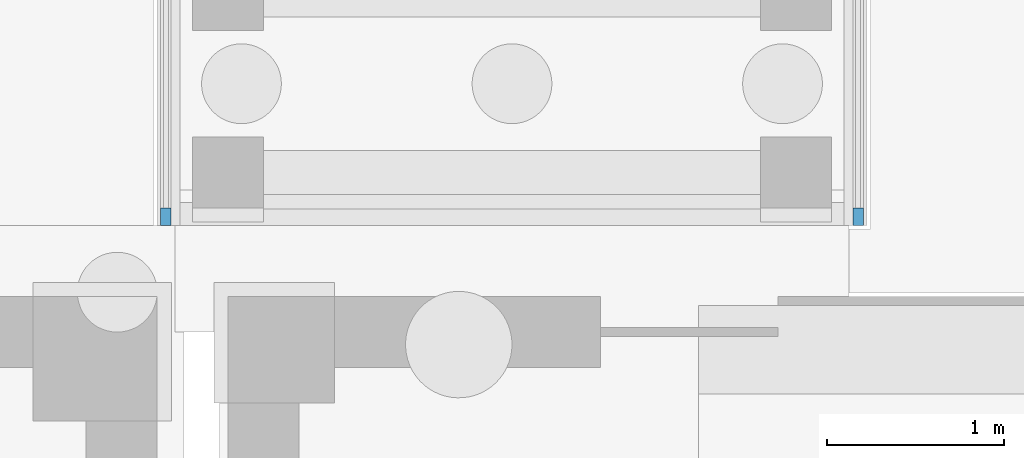
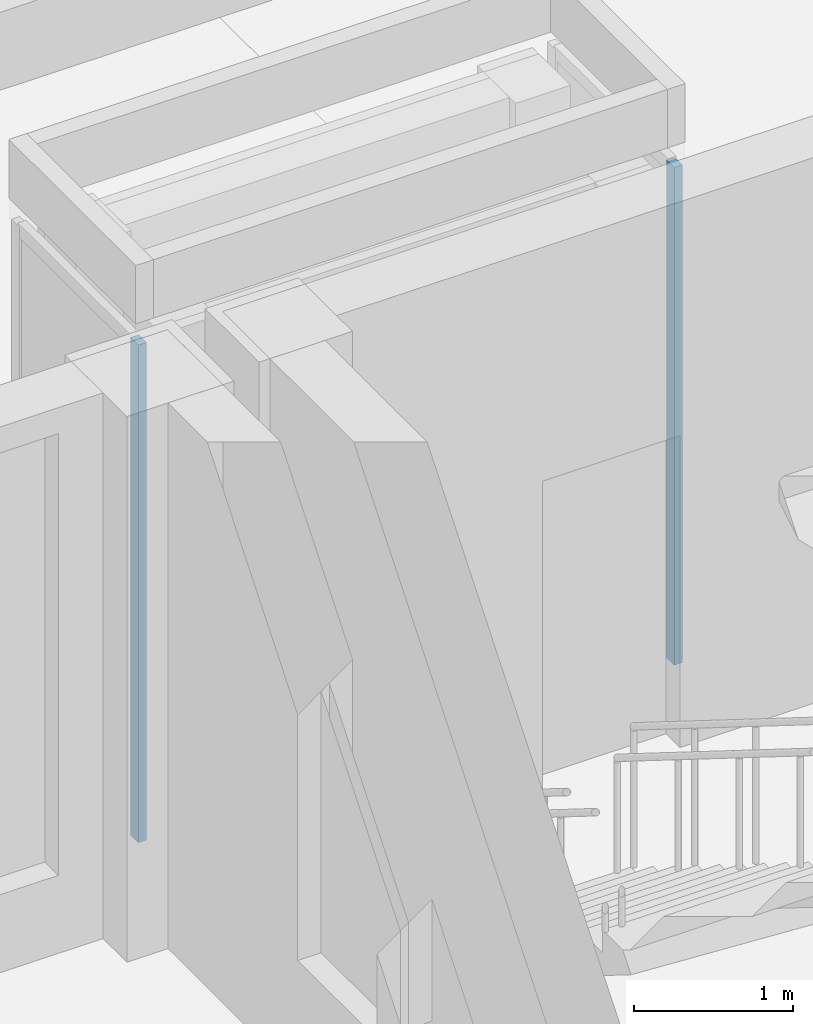
# One storey, part 24 of 112: 2 members, 2 elements without a shape of their own.
"""IFC4 building model written with IfcOpenShell, lengths in metres."""

from ifc_helpers import new_model, si_unit, direction, frame, origin, origin_2d, place, context, subcontext, project, spatial, rectangle, extrude, material, layer, layer_set, material_profile, profile_set, type_object, element, aggregate, save


model = new_model("IFC4")

# Units and contexts
model_context = context("Model", 3, precision=1e-05, world=origin(), true_north=direction((0.0, 1.0)))
body_context = subcontext(model_context, "Body", "Model", "MODEL_VIEW")
ifc_project = project(units=[si_unit("LENGTHUNIT", "METRE"), si_unit("AREAUNIT", "SQUARE_METRE"), si_unit("VOLUMEUNIT", "CUBIC_METRE"), si_unit("PLANEANGLEUNIT", "RADIAN"), si_unit("MASSUNIT", "GRAM", prefix="KILO")], contexts=[model_context])

# Site, building, storey
site_placement = place(None, origin())
site = spatial("IfcSite", under=ifc_project, at=site_placement, CompositionType="ELEMENT")
building_placement = place(site_placement, origin())
building = spatial("IfcBuilding", under=site, at=building_placement, Name="Wasatch Bagh Community Centre", CompositionType="ELEMENT")
storey_placement = place(building_placement, origin())
storey = spatial("IfcBuildingStorey", under=building, at=storey_placement, Name="L00", CompositionType="ELEMENT", Elevation=0.0)

# Curtain wall, member
ifc_material_1 = material(Name="Aluminium curtain wall frame with low-iron insulated glass", Category="aluminium")
ifc_layer = layer(ifc_material_1, 0.10009765625)
ifc_layer_set = layer_set([ifc_layer], Name="Aluminium curtain wall frame with low-iron insulated glass")
curtain_wall_type = type_object("IfcCurtainWallType", Name="PA curtain wall PA-CW3", PredefinedType="NOTDEFINED", material=ifc_layer_set)
curtain_wall_1_placement = place(storey_placement, origin())
curtain_wall_1 = element("IfcCurtainWall", 1, at=curtain_wall_1_placement, inside=storey, type_object=curtain_wall_type, Name="Curtain wall PA-CW3 PA4.1", PredefinedType="NOTDEFINED")
ifc_material_2 = material(Name="Anodised aluminium", Category="aluminium")
ifc_material_profile = material_profile(ifc_material_2, rectangle(XDim=0.06005859375, YDim=0.10009765625, at=origin_2d()), Name="PA mullion PA-CW3")
ifc_profile_set = profile_set([ifc_material_profile], Name="Anodised aluminium")
member_type = type_object("IfcMemberType", Name="PA mullion PA-CW3", PredefinedType="MULLION", material=ifc_profile_set)
member_1_placement = place(storey_placement, frame((96.049072265625, 32.449951171875, 0.0), z_axis=(0.0, 0.0, 1.0), x_axis=(-1.0, 0.0, 0.0)))
member_1 = element("IfcMember", 2, at=member_1_placement, type_object=member_type, Name="PA-CW3 mullion 1", PredefinedType="MULLION", context=body_context, shape_type="SweptSolid", body=[
    extrude(rectangle(XDim=0.06005859375, YDim=0.10009765625, at=origin_2d()), origin(), (0.0, 0.0, 1.0), 3.830078125),
])
aggregate(curtain_wall_1, [member_1])

curtain_wall_2_placement = place(storey_placement, origin())
curtain_wall_2 = element("IfcCurtainWall", 3, at=curtain_wall_2_placement, inside=storey, type_object=curtain_wall_type, Name="Curtain wall PA-CW3 PA4.2", PredefinedType="NOTDEFINED")
member_2_placement = place(storey_placement, frame((99.950927734375, 32.449951171875, 0.0), z_axis=(0.0, 0.0, 1.0), x_axis=(-1.0, 0.0, 0.0)))
member_2 = element("IfcMember", 4, at=member_2_placement, type_object=member_type, Name="PA-CW3 mullion 1", PredefinedType="MULLION", context=body_context, shape_type="SweptSolid", body=[
    extrude(rectangle(XDim=0.06005859375, YDim=0.10009765625, at=origin_2d()), origin(), (0.0, 0.0, 1.0), 3.830078125),
])
aggregate(curtain_wall_2, [member_2])

save(model, "model.ifc")
